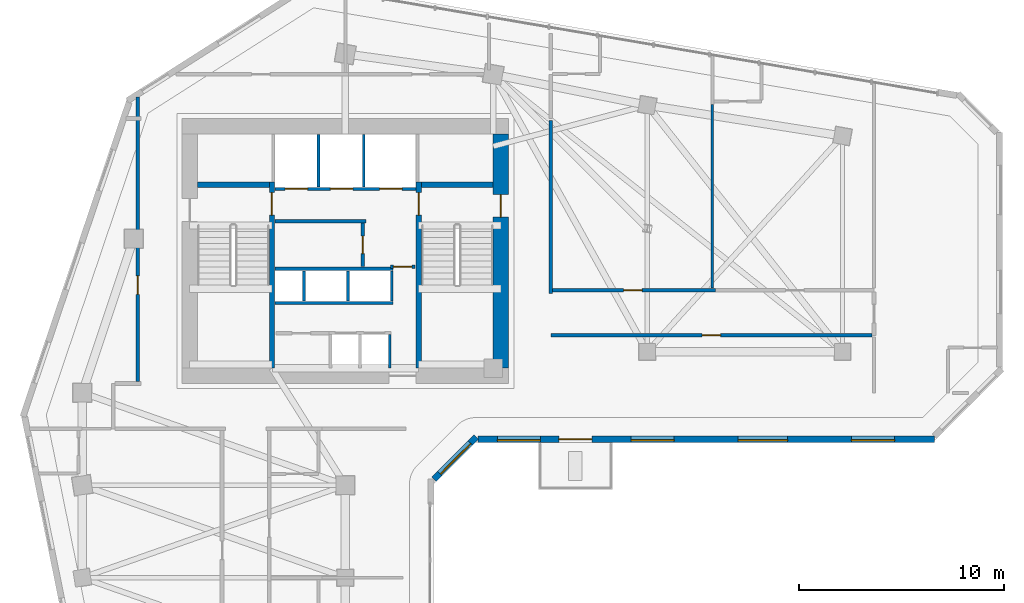
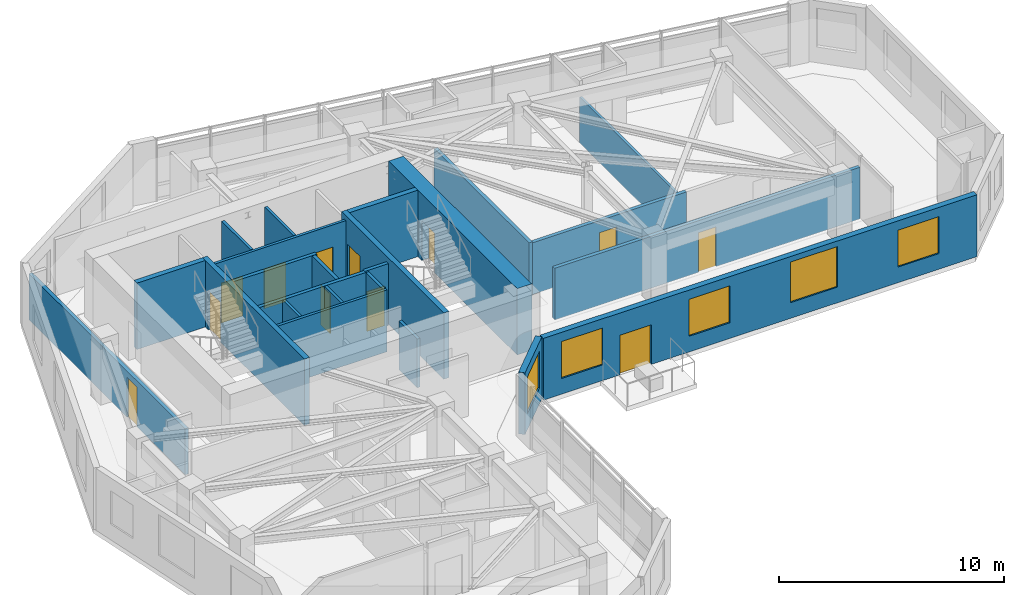
# One storey, part 6 of 11: 24 walls, 12 doors, 5 windows, 17 openings.
"""IFC4 building model written with IfcOpenShell, lengths in metres."""

from ifc_helpers import new_model, si_unit, direction, frame, frame_2d, origin, place, context, subcontext, project, spatial, rectangle, extrude, source, transform, mapped, material, layer, layer_set, type_object, element, fill, save


model = new_model("IFC4")

# Units and contexts
model_context = context("Model", 3, precision=1e-05, world=origin(), true_north=direction((0.0, 1.0)))
body_context = subcontext(model_context, "Body", "Model", "MODEL_VIEW")
ifc_project = project(units=[si_unit("LENGTHUNIT", "METRE"), si_unit("AREAUNIT", "SQUARE_METRE"), si_unit("VOLUMEUNIT", "CUBIC_METRE"), si_unit("PLANEANGLEUNIT", "RADIAN"), si_unit("MASSUNIT", "GRAM", prefix="KILO")], contexts=[model_context])

# Site, building, storey
site_placement = place(None, origin())
site = spatial("IfcSite", under=ifc_project, at=site_placement, CompositionType="ELEMENT")
building_placement = place(site_placement, origin())
building = spatial("IfcBuilding", under=site, at=building_placement, Name="Calvemar Wedge Station Tower", CompositionType="ELEMENT")
storey_placement = place(building_placement, frame((0.0, 0.0, 143.0)))
storey = spatial("IfcBuildingStorey", under=building, at=storey_placement, Name="L35", CompositionType="ELEMENT", Elevation=143.0)

# Wall, opening, door
ifc_material_1 = material(Name="Concrete C50", Category="concrete")
ifc_layer_1 = layer(ifc_material_1, 0.260009765625)
ifc_layer_set_1 = layer_set([ifc_layer_1], Name="Concrete C50")
wall_type_1 = type_object("IfcWallType", Name="SW-CORE-260", PredefinedType="SHEAR", material=ifc_layer_set_1)
wall_1_placement = place(storey_placement, frame((20.22998046875, 34.199951171875, 0.0), z_axis=(0.0, 0.0, 1.0), x_axis=(0.0, 1.0, 0.0)))
wall_1 = element("IfcWall", 1, at=wall_1_placement, inside=storey, type_object=wall_type_1, Name="Storey L35 Core Shear Wall SPINE-W", PredefinedType="SHEAR", context=body_context, shape_type="SweptSolid", body=[
    extrude(rectangle(XDim=9.06005859375, YDim=0.260009765625, at=frame_2d((4.530029296875, 0.0))), origin(), (0.0, 0.0, 1.0), 3.60009765625),
])
shared_shape_1 = source(origin(), body_context, "Body", "SweptSolid", [
    extrude(rectangle(XDim=1.10009765625, YDim=2.14990234375, at=frame_2d((0.550048828125, 1.074951171875))), frame((0.0, 0.14013671875, 0.0), z_axis=(0.0, -1.0, 0.0), x_axis=(1.0, 0.0, 0.0)), (0.0, 0.0, 1.0), 0.280029296875),
])
opening_1_placement = place(wall_1_placement, frame((7.449951171875, 0.0, 0.0)))
opening_1 = element("IfcOpeningElement", 2, at=opening_1_placement, cuts=wall_1, Name="Opening FD-90", PredefinedType="OPENING", context=body_context, shape_type="MappedRepresentation", body=[
    mapped(shared_shape_1, transform((0.0, 0.0, 0.0), scale=1.0)),
])
ifc_material_2 = material(Name="Galvanized fire-rated steel door leaf P-90", Category="steel")
door_type_1 = type_object("IfcDoorType", Name="DR-FD90-1100", OperationType="NOTDEFINED", PredefinedType="DOOR", material=ifc_material_2)
shared_shape_2 = source(origin(), body_context, "Body", "SweptSolid", [
    extrude(rectangle(XDim=1.10009765625, YDim=2.14990234375, at=frame_2d((0.550048828125, 1.074951171875))), frame((0.0, 0.02490234375, 0.0), z_axis=(0.0, -1.0, 0.0), x_axis=(1.0, 0.0, 0.0)), (0.0, 0.0, 1.0), 0.050048828125),
])
door_1_placement = place(opening_1_placement, origin())
door_1 = element("IfcDoor", 3, at=door_1_placement, inside=storey, type_object=door_type_1, Name="L35 FF Lobby to Stair ST-C1 Door", OperationType="SINGLE_SWING_RIGHT", OverallHeight=2.14990234375, OverallWidth=1.10009765625, PredefinedType="DOOR", context=body_context, shape_type="MappedRepresentation", body=[
    mapped(shared_shape_2, transform((0.0, 0.0, 0.0), scale=1.0)),
])
fill(opening_1, door_1)

wall_2_placement = place(storey_placement, frame((27.3701171875, 34.199951171875, 0.0), z_axis=(0.0, 0.0, 1.0), x_axis=(0.0, 1.0, 0.0)))
wall_2 = element("IfcWall", 4, at=wall_2_placement, inside=storey, type_object=wall_type_1, Name="Storey L35 Core Shear Wall SPINE-E", PredefinedType="SHEAR", context=body_context, shape_type="SweptSolid", body=[
    extrude(rectangle(XDim=9.06005859375, YDim=0.260009765625, at=frame_2d((4.530029296875, 0.0))), origin(), (0.0, 0.0, 1.0), 3.60009765625),
])
opening_2_placement = place(wall_2_placement, frame((7.449951171875, 0.0, 0.0)))
opening_2 = element("IfcOpeningElement", 5, at=opening_2_placement, cuts=wall_2, Name="Opening FD-90", PredefinedType="OPENING", context=body_context, shape_type="MappedRepresentation", body=[
    mapped(shared_shape_1, transform((0.0, 0.0, 0.0), scale=1.0)),
])
door_2_placement = place(opening_2_placement, origin())
door_2 = element("IfcDoor", 6, at=door_2_placement, inside=storey, type_object=door_type_1, Name="L35 FF Lobby to Stair ST-C2 Door", OperationType="SINGLE_SWING_LEFT", OverallHeight=2.14990234375, OverallWidth=1.10009765625, PredefinedType="DOOR", context=body_context, shape_type="MappedRepresentation", body=[
    mapped(shared_shape_2, transform((0.0, 0.0, 0.0), scale=1.0)),
])
fill(opening_2, door_2)

# Walls
for number, where, z_axis, x_axis, name in (
    (7, (16.60009765625, 43.1298828125, 0.0), (0.0, 0.0, 1.0), (1.0, 0.0, 0.0), "Storey L35 Core Shear Wall STC1-N"),
    (8, (27.5, 43.1298828125, 0.0), (0.0, 0.0, 1.0), (1.0, 0.0, 0.0), "Storey L35 Core Shear Wall STC2-N"),
):
    element("IfcWall", number, at=place(storey_placement, frame(where, z_axis=z_axis, x_axis=x_axis)), inside=storey, type_object=wall_type_1, Name=name, PredefinedType="SHEAR", context=body_context, shape_type="SweptSolid", body=[
        extrude(rectangle(XDim=3.5, YDim=0.260009765625, at=frame_2d((1.75, 0.0))), origin(), (0.0, 0.0, 1.0), 3.60009765625),
    ])

# Wall, opening, door
ifc_material_3 = material(Name="Concrete C70", Category="concrete")
ifc_layer_2 = layer(ifc_material_3, 0.75)
ifc_layer_set_2 = layer_set([ifc_layer_2], Name="Concrete C70")
wall_type_2 = type_object("IfcWallType", Name="SW-CORE-750", PredefinedType="SHEAR", material=ifc_layer_set_2)
wall_3_placement = place(storey_placement, frame((31.375, 34.199951171875, 0.0), z_axis=(0.0, 0.0, 1.0), x_axis=(0.0, 1.0, 0.0)))
wall_3 = element("IfcWall", 9, at=wall_3_placement, inside=storey, type_object=wall_type_2, Name="Storey L35 Core Shear Wall E", PredefinedType="SHEAR", context=body_context, shape_type="SweptSolid", body=[
    extrude(rectangle(XDim=11.400146484375, YDim=0.75, at=frame_2d((5.7001953125, 0.0))), origin(), (0.0, 0.0, 1.0), 3.60009765625),
])
shared_shape_3 = source(origin(), body_context, "Body", "SweptSolid", [
    extrude(rectangle(XDim=1.10009765625, YDim=2.14990234375, at=frame_2d((0.550048828125, 1.074951171875))), frame((0.0, 0.385009765625, 0.0), z_axis=(0.0, -1.0, 0.0), x_axis=(1.0, 0.0, 0.0)), (0.0, 0.0, 1.0), 0.77001953125),
])
opening_3_placement = place(wall_3_placement, frame((7.35009765625, 0.0, 0.0)))
opening_3 = element("IfcOpeningElement", 10, at=opening_3_placement, cuts=wall_3, Name="Opening FD-90", PredefinedType="OPENING", context=body_context, shape_type="MappedRepresentation", body=[
    mapped(shared_shape_3, transform((0.0, 0.0, 0.0), scale=1.0)),
])
door_3_placement = place(opening_3_placement, origin())
door_3 = element("IfcDoor", 11, at=door_3_placement, inside=storey, type_object=door_type_1, Name="L35 East Corridor to Exit Stair ST-C2 Door", OperationType="SINGLE_SWING_LEFT", OverallHeight=2.14990234375, OverallWidth=1.10009765625, PredefinedType="DOOR", context=body_context, shape_type="MappedRepresentation", body=[
    mapped(shared_shape_2, transform((0.0, 0.0, 0.0), scale=1.0)),
])
fill(opening_3, door_3)

# Wall
ifc_material_4 = material(Name="Double-stud fire-rated corridor partition")
ifc_layer_3 = layer(ifc_material_4, 0.179931640625)
ifc_layer_set_3 = layer_set([ifc_layer_3], Name="Double-stud fire-rated corridor partition")
wall_type_3 = type_object("IfcWallType", Name="W-CORR-180", PredefinedType="PARTITIONING", material=ifc_layer_set_3)
wall_4_placement = place(storey_placement, frame((24.81005859375, 41.35009765625, 0.0), z_axis=(0.0, 0.0, 1.0), x_axis=(-1.0, 0.0, 0.0)))
element("IfcWall", 12, at=wall_4_placement, inside=storey, type_object=wall_type_3, Name="Storey L35 Interior Partition WL-L35-001", PredefinedType="PARTITIONING", context=body_context, shape_type="SweptSolid", body=[
    extrude(rectangle(XDim=4.43017578125, YDim=0.179931640625, at=frame_2d((2.215087890625, 0.0))), origin(), (0.0, 0.0, 1.0), 3.35009765625),
])

# Wall, opening, door
wall_5_placement = place(storey_placement, frame((24.64990234375, 41.256103515625, 0.0), z_axis=(0.0, 0.0, 1.0), x_axis=(0.0, -1.0, 0.0)))
wall_5 = element("IfcWall", 13, at=wall_5_placement, inside=storey, type_object=wall_type_3, Name="Storey L35 Interior Partition WL-L35-002", PredefinedType="PARTITIONING", context=body_context, shape_type="SweptSolid", body=[
    extrude(rectangle(XDim=2.106201171875, YDim=0.179931640625, at=frame_2d((1.05322265625, 0.0))), origin(), (0.0, 0.0, 1.0), 3.35009765625),
])
shared_shape_4 = source(origin(), body_context, "Body", "SweptSolid", [
    extrude(rectangle(XDim=0.85009765625, YDim=2.14990234375, at=frame_2d((0.425048828125, 1.074951171875))), frame((0.0, 0.10009765625, 0.0), z_axis=(0.0, -1.0, 0.0), x_axis=(1.0, 0.0, 0.0)), (0.0, 0.0, 1.0), 0.199951171875),
])
opening_4_placement = place(wall_5_placement, frame((0.6279296875, 0.0, 0.0)))
opening_4 = element("IfcOpeningElement", 14, at=opening_4_placement, cuts=wall_5, Name="Opening FD-60S", PredefinedType="OPENING", context=body_context, shape_type="MappedRepresentation", body=[
    mapped(shared_shape_4, transform((0.0, 0.0, 0.0), scale=1.0)),
])
ifc_material_5 = material(Name="Fire-rated steel and hardwood service door EI 60", Category="steel")
door_type_2 = type_object("IfcDoorType", Name="DR-CORE-FD60-850", OperationType="NOTDEFINED", PredefinedType="DOOR", material=ifc_material_5)
shared_shape_5 = source(origin(), body_context, "Body", "SweptSolid", [
    extrude(rectangle(XDim=0.85009765625, YDim=2.14990234375, at=frame_2d((0.425048828125, 1.074951171875))), frame((0.0, 0.02490234375, 0.0), z_axis=(0.0, -1.0, 0.0), x_axis=(1.0, 0.0, 0.0)), (0.0, 0.0, 1.0), 0.050048828125),
])
door_4_placement = place(opening_4_placement, origin())
door_4 = element("IfcDoor", 15, at=door_4_placement, inside=storey, type_object=door_type_2, Name="L35 Cleaner and Linen Store Door", OperationType="SINGLE_SWING_RIGHT", OverallHeight=2.14990234375, OverallWidth=0.85009765625, PredefinedType="DOOR", context=body_context, shape_type="MappedRepresentation", body=[
    mapped(shared_shape_5, transform((0.0, 0.0, 0.0), scale=1.0)),
])
fill(opening_4, door_4)

wall_6_placement = place(storey_placement, frame((27.199951171875, 39.1298828125, 0.0), z_axis=(0.0, 0.0, 1.0), x_axis=(-1.0, 0.0, 0.0)))
wall_6 = element("IfcWall", 16, at=wall_6_placement, inside=storey, type_object=wall_type_3, Name="Storey L35 Interior Partition WL-L35-003", PredefinedType="PARTITIONING", context=body_context, shape_type="SweptSolid", body=[
    extrude(rectangle(XDim=1.2099609375, YDim=0.179931640625, at=frame_2d((0.60498046875, 0.0))), origin(), (0.0, 0.0, 1.0), 3.35009765625),
])
shared_shape_6 = source(origin(), body_context, "Body", "SweptSolid", [
    extrude(rectangle(XDim=0.89990234375, YDim=2.14990234375, at=frame_2d((0.449951171875, 1.074951171875))), frame((0.0, 0.10009765625, 0.0), z_axis=(0.0, -1.0, 0.0), x_axis=(1.0, 0.0, 0.0)), (0.0, 0.0, 1.0), 0.199951171875),
])
opening_5_placement = place(wall_6_placement, frame((0.155029296875, 0.0, 0.0)))
opening_5 = element("IfcOpeningElement", 17, at=opening_5_placement, cuts=wall_6, Name="Opening FD-60", PredefinedType="OPENING", context=body_context, shape_type="MappedRepresentation", body=[
    mapped(shared_shape_6, transform((0.0, 0.0, 0.0), scale=1.0)),
])
ifc_material_6 = material(Name="Fire-rated acoustic timber-core entrance door EI 60", Category="wood")
door_type_3 = type_object("IfcDoorType", Name="DR-FD60-900", OperationType="NOTDEFINED", PredefinedType="DOOR", material=ifc_material_6)
shared_shape_7 = source(origin(), body_context, "Body", "SweptSolid", [
    extrude(rectangle(XDim=0.89990234375, YDim=2.14990234375, at=frame_2d((0.449951171875, 1.074951171875))), frame((0.0, 0.02490234375, 0.0), z_axis=(0.0, -1.0, 0.0), x_axis=(1.0, 0.0, 0.0)), (0.0, 0.0, 1.0), 0.050048828125),
])
door_5_placement = place(opening_5_placement, origin())
door_5 = element("IfcDoor", 18, at=door_5_placement, inside=storey, type_object=door_type_3, Name="L35 Core Service Lobby Door", OperationType="SINGLE_SWING_LEFT", OverallHeight=2.14990234375, OverallWidth=0.89990234375, PredefinedType="DOOR", context=body_context, shape_type="MappedRepresentation", body=[
    mapped(shared_shape_7, transform((0.0, 0.0, 0.0), scale=1.0)),
])
fill(opening_5, door_5)

wall_7_placement = place(storey_placement, frame((13.699951171875, 33.5439453125, 0.0), z_axis=(0.0, 0.0, 1.0), x_axis=(0.0, 1.0, 0.0)))
wall_7 = element("IfcWall", 19, at=wall_7_placement, inside=storey, type_object=wall_type_3, Name="Storey L35 Interior Partition WL-L35-010", PredefinedType="PARTITIONING", context=body_context, shape_type="SweptSolid", body=[
    extrude(rectangle(XDim=13.860107421875, YDim=0.179931640625, at=frame_2d((6.93017578125, 0.0))), origin(), (0.0, 0.0, 1.0), 2.491943359375),
])
opening_6_placement = place(wall_7_placement, frame((4.252685546875, 0.0, 0.0)))
opening_6 = element("IfcOpeningElement", 20, at=opening_6_placement, cuts=wall_7, Name="Opening D-01", PredefinedType="OPENING", context=body_context, shape_type="MappedRepresentation", body=[
    mapped(shared_shape_6, transform((0.0, 0.0, 0.0), scale=1.0)),
])
ifc_material_7 = material(Name="Architectural hardwood acoustic swing door", Category="wood")
door_type_4 = type_object("IfcDoorType", Name="DR-INT-900", OperationType="NOTDEFINED", PredefinedType="DOOR", material=ifc_material_7)
shared_shape_8 = source(origin(), body_context, "Body", "SweptSolid", [
    extrude(rectangle(XDim=0.89990234375, YDim=2.14990234375, at=frame_2d((0.449951171875, 1.074951171875))), frame((0.0, 0.02490234375, 0.0), z_axis=(0.0, -1.0, 0.0), x_axis=(1.0, 0.0, 0.0)), (0.0, 0.0, 1.0), 0.050048828125),
])
door_6_placement = place(opening_6_placement, origin())
door_6 = element("IfcDoor", 21, at=door_6_placement, inside=storey, type_object=door_type_4, Name="L35 Executive Lounge Door", OperationType="SINGLE_SWING_LEFT", OverallHeight=2.14990234375, OverallWidth=0.89990234375, PredefinedType="DOOR", context=body_context, shape_type="MappedRepresentation", body=[
    mapped(shared_shape_8, transform((0.0, 0.0, 0.0), scale=1.0)),
])
fill(opening_6, door_6)

# Wall
wall_8_placement = place(storey_placement, frame((33.800048828125, 46.256103515625, 0.0), z_axis=(0.0, 0.0, 1.0), x_axis=(0.0, -1.0, 0.0)))
element("IfcWall", 22, at=wall_8_placement, inside=storey, type_object=wall_type_3, Name="Storey L35 Interior Partition WL-L35-015", PredefinedType="PARTITIONING", context=body_context, shape_type="SweptSolid", body=[
    extrude(rectangle(XDim=8.416015625, YDim=0.179931640625, at=frame_2d((4.2080078125, 0.0))), origin(), (0.0, 0.0, 1.0), 2.922119140625),
])

# Wall, opening, door
wall_9_placement = place(storey_placement, frame((33.89404296875, 38.0, 0.0), z_axis=(0.0, 0.0, 1.0), x_axis=(1.0, 0.0, 0.0)))
wall_9 = element("IfcWall", 23, at=wall_9_placement, inside=storey, type_object=wall_type_3, Name="Storey L35 Interior Partition WL-L35-019", PredefinedType="PARTITIONING", context=body_context, shape_type="SweptSolid", body=[
    extrude(rectangle(XDim=7.932861328125, YDim=0.179931640625, at=frame_2d((3.96630859375, 0.0))), origin(), (0.0, 0.0, 1.0), 2.802978515625),
])
opening_7_placement = place(wall_9_placement, frame((3.455322265625, 0.0, 0.0)))
opening_7 = element("IfcOpeningElement", 24, at=opening_7_placement, cuts=wall_9, Name="Opening FD-60", PredefinedType="OPENING", context=body_context, shape_type="MappedRepresentation", body=[
    mapped(shared_shape_6, transform((0.0, 0.0, 0.0), scale=1.0)),
])
door_7_placement = place(opening_7_placement, origin())
door_7 = element("IfcDoor", 25, at=door_7_placement, inside=storey, type_object=door_type_3, Name="L35 Hotel Suite Door", OperationType="SINGLE_SWING_LEFT", OverallHeight=2.14990234375, OverallWidth=0.89990234375, PredefinedType="DOOR", context=body_context, shape_type="MappedRepresentation", body=[
    mapped(shared_shape_7, transform((0.0, 0.0, 0.0), scale=1.0)),
])
fill(opening_7, door_7)

wall_10_placement = place(storey_placement, frame((49.44091796875, 35.800048828125, 0.0), z_axis=(0.0, 0.0, 1.0), x_axis=(-1.0, 0.0, 0.0)))
wall_10 = element("IfcWall", 26, at=wall_10_placement, inside=storey, type_object=wall_type_3, Name="Storey L35 Interior Partition WL-L35-022", PredefinedType="PARTITIONING", context=body_context, shape_type="SweptSolid", body=[
    extrude(rectangle(XDim=15.640869140625, YDim=0.179931640625, at=frame_2d((7.8203125, 0.0))), origin(), (0.0, 0.0, 1.0), 2.802978515625),
])
opening_8_placement = place(wall_10_placement, frame((7.37060546875, 0.0, 0.0)))
opening_8 = element("IfcOpeningElement", 27, at=opening_8_placement, cuts=wall_10, Name="Opening D-01", PredefinedType="OPENING", context=body_context, shape_type="MappedRepresentation", body=[
    mapped(shared_shape_6, transform((0.0, 0.0, 0.0), scale=1.0)),
])
door_8_placement = place(opening_8_placement, origin())
door_8 = element("IfcDoor", 28, at=door_8_placement, inside=storey, type_object=door_type_4, Name="L35 Meeting Room Door", OperationType="SINGLE_SWING_RIGHT", OverallHeight=2.14990234375, OverallWidth=0.89990234375, PredefinedType="DOOR", context=body_context, shape_type="MappedRepresentation", body=[
    mapped(shared_shape_8, transform((0.0, 0.0, 0.0), scale=1.0)),
])
fill(opening_8, door_8)

# Wall, opening, window
ifc_material_8 = material(Name="Precast concrete C45", Category="concrete")
ifc_layer_4 = layer(ifc_material_8, 0.300048828125)
ifc_layer_set_4 = layer_set([ifc_layer_4], Name="Precast concrete C45")
wall_type_4 = type_object("IfcWallType", Name="W-EXT-GFRC-300", PredefinedType="SOLIDWALL", material=ifc_layer_set_4)
wall_11_placement = place(storey_placement, frame((28.115966796875, 28.7919921875, 0.0), z_axis=(0.0, 0.0, 1.0), x_axis=(0.707064797706, 0.707148762175, 0.0)))
wall_11 = element("IfcWall", 29, at=wall_11_placement, inside=storey, type_object=wall_type_4, Name="Storey L35 Bronze GFRC Exterior Wall 5", PredefinedType="SOLIDWALL", context=body_context, shape_type="SweptSolid", body=[
    extrude(rectangle(XDim=2.90771484375, YDim=0.300048828125, at=frame_2d((1.453857421875, 0.0))), origin(), (0.0, 0.0, 1.0), 3.35009765625),
])
shared_shape_9 = source(origin(), body_context, "Body", "SweptSolid", [
    extrude(rectangle(XDim=2.10009765625, YDim=2.0, at=frame_2d((1.050048828125, 1.0))), frame((0.0, 0.16015625, 0.0), z_axis=(0.0, -1.0, 0.0), x_axis=(1.0, 0.0, 0.0)), (0.0, 0.0, 1.0), 0.320068359375),
])
opening_9_placement = place(wall_11_placement, frame((0.404052734375, 0.0, 0.85009765625)))
opening_9 = element("IfcOpeningElement", 30, at=opening_9_placement, cuts=wall_11, Name="Opening W4", PredefinedType="OPENING", context=body_context, shape_type="MappedRepresentation", body=[
    mapped(shared_shape_9, transform((0.0, 0.0, 0.0), scale=1.0)),
])
ifc_material_9 = material(Name="Low-E laminated insulated glass", Category="glass")
window_type_1 = type_object("IfcWindowType", Name="WIN-EXT-4", PartitioningType="SINGLE_PANEL", PredefinedType="WINDOW", material=ifc_material_9)
shared_shape_10 = source(origin(), body_context, "Body", "SweptSolid", [
    extrude(rectangle(XDim=2.10009765625, YDim=2.0, at=frame_2d((1.050048828125, 1.0))), frame((0.0, -0.014892578125, 0.0), z_axis=(0.0, -1.0, 0.0), x_axis=(1.0, 0.0, 0.0)), (0.0, 0.0, 1.0), 0.06005859375),
])
window_1_placement = place(opening_9_placement, origin())
window_1 = element("IfcWindow", 31, at=window_1_placement, inside=storey, type_object=window_type_1, Name="Storey L35 Recessed Window 5.1", OverallHeight=2.0, OverallWidth=2.10009765625, PartitioningType="SINGLE_PANEL", PredefinedType="WINDOW", context=body_context, shape_type="MappedRepresentation", body=[
    mapped(shared_shape_10, transform((0.0, 0.0, 0.0), scale=1.0)),
])
fill(opening_9, window_1)

# Wall, openings, windows, door
wall_12_placement = place(storey_placement, frame((30.260986328125, 30.741943359375, 0.0), z_axis=(0.0, 0.0, 1.0), x_axis=(1.0, 0.0, 0.0)))
wall_12 = element("IfcWall", 32, at=wall_12_placement, inside=storey, type_object=wall_type_4, Name="Storey L35 Bronze GFRC Exterior Wall 6", PredefinedType="SOLIDWALL", context=body_context, shape_type="SweptSolid", body=[
    extrude(rectangle(XDim=22.226806640625, YDim=0.300048828125, at=frame_2d((11.11328125, 0.0))), origin(), (0.0, 0.0, 1.0), 3.35009765625),
])
shared_shape_11 = source(origin(), body_context, "Body", "SweptSolid", [
    extrude(rectangle(XDim=1.60009765625, YDim=2.14990234375, at=frame_2d((0.800048828125, 1.074951171875))), frame((0.0, 0.16015625, 0.0), z_axis=(0.0, -1.0, 0.0), x_axis=(1.0, 0.0, 0.0)), (0.0, 0.0, 1.0), 0.320068359375),
])
opening_10_placement = place(wall_12_placement, frame((3.93896484375, 0.0, 0.0)))
opening_10 = element("IfcOpeningElement", 33, at=opening_10_placement, cuts=wall_12, Name="Opening DT1", PredefinedType="OPENING", context=body_context, shape_type="MappedRepresentation", body=[
    mapped(shared_shape_11, transform((0.0, 0.0, 0.0), scale=1.0)),
])
opening_11_placement = place(wall_12_placement, frame((0.93896484375, 0.0, 0.85009765625)))
opening_11 = element("IfcOpeningElement", 34, at=opening_11_placement, cuts=wall_12, Name="Opening W4", PredefinedType="OPENING", context=body_context, shape_type="MappedRepresentation", body=[
    mapped(shared_shape_9, transform((0.0, 0.0, 0.0), scale=1.0)),
])
opening_12_placement = place(wall_12_placement, frame((7.449951171875, 0.0, 0.85009765625)))
opening_12 = element("IfcOpeningElement", 35, at=opening_12_placement, cuts=wall_12, Name="Opening W4", PredefinedType="OPENING", context=body_context, shape_type="MappedRepresentation", body=[
    mapped(shared_shape_9, transform((0.0, 0.0, 0.0), scale=1.0)),
])
shared_shape_12 = source(origin(), body_context, "Body", "SweptSolid", [
    extrude(rectangle(XDim=2.39990234375, YDim=2.199951171875, at=frame_2d((1.199951171875, 1.10009765625))), frame((0.0, 0.16015625, 0.0), z_axis=(0.0, -1.0, 0.0), x_axis=(1.0, 0.0, 0.0)), (0.0, 0.0, 1.0), 0.320068359375),
])
opening_13_placement = place(wall_12_placement, frame((12.6630859375, 0.0, 0.85009765625)))
opening_13 = element("IfcOpeningElement", 36, at=opening_13_placement, cuts=wall_12, Name="Opening W1", PredefinedType="OPENING", context=body_context, shape_type="MappedRepresentation", body=[
    mapped(shared_shape_12, transform((0.0, 0.0, 0.0), scale=1.0)),
])
opening_14_placement = place(wall_12_placement, frame((18.176025390625, 0.0, 0.85009765625)))
opening_14 = element("IfcOpeningElement", 37, at=opening_14_placement, cuts=wall_12, Name="Opening W4", PredefinedType="OPENING", context=body_context, shape_type="MappedRepresentation", body=[
    mapped(shared_shape_9, transform((0.0, 0.0, 0.0), scale=1.0)),
])
window_2_placement = place(opening_11_placement, origin())
window_2 = element("IfcWindow", 38, at=window_2_placement, inside=storey, type_object=window_type_1, Name="Storey L35 Recessed Window 6.1", OverallHeight=2.0, OverallWidth=2.10009765625, PartitioningType="SINGLE_PANEL", PredefinedType="WINDOW", context=body_context, shape_type="MappedRepresentation", body=[
    mapped(shared_shape_10, transform((0.0, 0.0, 0.0), scale=1.0)),
])
fill(opening_11, window_2)
window_3_placement = place(opening_12_placement, origin())
window_3 = element("IfcWindow", 39, at=window_3_placement, inside=storey, type_object=window_type_1, Name="Storey L35 Recessed Window 6.2", OverallHeight=2.0, OverallWidth=2.10009765625, PartitioningType="SINGLE_PANEL", PredefinedType="WINDOW", context=body_context, shape_type="MappedRepresentation", body=[
    mapped(shared_shape_10, transform((0.0, 0.0, 0.0), scale=1.0)),
])
fill(opening_12, window_3)
window_4_placement = place(opening_14_placement, origin())
window_4 = element("IfcWindow", 40, at=window_4_placement, inside=storey, type_object=window_type_1, Name="Storey L35 Recessed Window 6.4", OverallHeight=2.0, OverallWidth=2.10009765625, PartitioningType="SINGLE_PANEL", PredefinedType="WINDOW", context=body_context, shape_type="MappedRepresentation", body=[
    mapped(shared_shape_10, transform((0.0, 0.0, 0.0), scale=1.0)),
])
fill(opening_14, window_4)
window_type_2 = type_object("IfcWindowType", Name="WIN-EXT-1", PartitioningType="SINGLE_PANEL", PredefinedType="WINDOW", material=ifc_material_9)
shared_shape_13 = source(origin(), body_context, "Body", "SweptSolid", [
    extrude(rectangle(XDim=2.39990234375, YDim=2.199951171875, at=frame_2d((1.199951171875, 1.10009765625))), frame((0.0, -0.014892578125, 0.0), z_axis=(0.0, -1.0, 0.0), x_axis=(1.0, 0.0, 0.0)), (0.0, 0.0, 1.0), 0.06005859375),
])
window_5_placement = place(opening_13_placement, origin())
window_5 = element("IfcWindow", 41, at=window_5_placement, inside=storey, type_object=window_type_2, Name="Storey L35 Recessed Window 6.3", OverallHeight=2.199951171875, OverallWidth=2.39990234375, PartitioningType="SINGLE_PANEL", PredefinedType="WINDOW", context=body_context, shape_type="MappedRepresentation", body=[
    mapped(shared_shape_13, transform((0.0, 0.0, 0.0), scale=1.0)),
])
fill(opening_13, window_5)
ifc_material_10 = material(Name="Anodised aluminium 6063-T6", Category="aluminium")
door_type_5 = type_object("IfcDoorType", Name="DR-TERR-1600", OperationType="DOUBLE_DOOR_SLIDING", PredefinedType="DOOR", material=ifc_material_10)
shared_shape_14 = source(origin(), body_context, "Body", "SweptSolid", [
    extrude(rectangle(XDim=1.60009765625, YDim=2.14990234375, at=frame_2d((0.800048828125, 1.074951171875))), frame((0.0, 0.02490234375, 0.0), z_axis=(0.0, -1.0, 0.0), x_axis=(1.0, 0.0, 0.0)), (0.0, 0.0, 1.0), 0.050048828125),
])
door_9_placement = place(opening_10_placement, origin())
door_9 = element("IfcDoor", 42, at=door_9_placement, inside=storey, type_object=door_type_5, Name="Storey L35 Spiral Terrace Door", OperationType="DOUBLE_DOOR_SLIDING", OverallHeight=2.14990234375, OverallWidth=1.60009765625, PredefinedType="DOOR", context=body_context, shape_type="MappedRepresentation", body=[
    mapped(shared_shape_14, transform((0.0, 0.0, 0.0), scale=1.0)),
])
fill(opening_10, door_9)

# Wall, openings, doors
ifc_material_11 = material(Name="Reinforced concrete blockwork lift shaft wall", Category="masonry")
ifc_layer_5 = layer(ifc_material_11, 0.139892578125)
ifc_layer_set_5 = layer_set([ifc_layer_5], Name="Reinforced concrete blockwork lift shaft wall")
wall_type_5 = type_object("IfcWallType", Name="W-LIFT-160", PredefinedType="SOLIDWALL", material=ifc_layer_set_5)
wall_13_placement = place(storey_placement, frame((20.3701171875, 42.929931640625, 0.0), z_axis=(0.0, 0.0, 1.0), x_axis=(1.0, 0.0, 0.0)))
wall_13 = element("IfcWall", 43, at=wall_13_placement, inside=storey, type_object=wall_type_5, Name="Storey L35 Firefighting and Service Lift Shaft Front Wall", PredefinedType="SOLIDWALL", context=body_context, shape_type="SweptSolid", body=[
    extrude(rectangle(XDim=6.85986328125, YDim=0.139892578125, at=frame_2d((3.429931640625, 0.0))), origin(), (0.0, 0.0, 1.0), 3.35009765625),
])
shared_shape_15 = source(origin(), body_context, "Body", "SweptSolid", [
    extrude(rectangle(XDim=1.10009765625, YDim=2.14990234375, at=frame_2d((0.550048828125, 1.074951171875))), frame((0.0, 0.080078125, 0.0), z_axis=(0.0, -1.0, 0.0), x_axis=(1.0, 0.0, 0.0)), (0.0, 0.0, 1.0), 0.159912109375),
])
opening_15_placement = place(wall_13_placement, frame((0.5, 0.0, 0.0)))
opening_15 = element("IfcOpeningElement", 44, at=opening_15_placement, cuts=wall_13, Name="Opening LD-FF", PredefinedType="OPENING", context=body_context, shape_type="MappedRepresentation", body=[
    mapped(shared_shape_15, transform((0.0, 0.0, 0.0), scale=1.0)),
])
opening_16_placement = place(wall_13_placement, frame((2.699951171875, 0.0, 0.0)))
opening_16 = element("IfcOpeningElement", 45, at=opening_16_placement, cuts=wall_13, Name="Opening LD-FF", PredefinedType="OPENING", context=body_context, shape_type="MappedRepresentation", body=[
    mapped(shared_shape_15, transform((0.0, 0.0, 0.0), scale=1.0)),
])
opening_17_placement = place(wall_13_placement, frame((5.10009765625, 0.0, 0.0)))
opening_17 = element("IfcOpeningElement", 46, at=opening_17_placement, cuts=wall_13, Name="Opening LD-STN", PredefinedType="OPENING", context=body_context, shape_type="MappedRepresentation", body=[
    mapped(shared_shape_15, transform((0.0, 0.0, 0.0), scale=1.0)),
])
ifc_material_12 = material(Name="Stainless steel firefighting lift sliding landing door", Category="steel")
door_type_6 = type_object("IfcDoorType", Name="DR-LD-FF-1100", OperationType="SLIDING_TO_LEFT", PredefinedType="DOOR", material=ifc_material_12)
shared_shape_16 = source(origin(), body_context, "Body", "SweptSolid", [
    extrude(rectangle(XDim=1.10009765625, YDim=2.14990234375, at=frame_2d((0.550048828125, 1.074951171875))), frame((0.0, 0.02490234375, 0.0), z_axis=(0.0, -1.0, 0.0), x_axis=(1.0, 0.0, 0.0)), (0.0, 0.0, 1.0), 0.050048828125),
])
door_10_placement = place(opening_15_placement, origin())
door_10 = element("IfcDoor", 47, at=door_10_placement, inside=storey, type_object=door_type_6, Name="L35 Lift FF-01 Sliding Landing Door", OperationType="SLIDING_TO_LEFT", OverallHeight=2.14990234375, OverallWidth=1.10009765625, PredefinedType="DOOR", context=body_context, shape_type="MappedRepresentation", body=[
    mapped(shared_shape_16, transform((0.0, 0.0, 0.0), scale=1.0)),
])
fill(opening_15, door_10)
door_11_placement = place(opening_16_placement, origin())
door_11 = element("IfcDoor", 48, at=door_11_placement, inside=storey, type_object=door_type_6, Name="L35 Lift FF-02 Sliding Landing Door", OperationType="SLIDING_TO_RIGHT", OverallHeight=2.14990234375, OverallWidth=1.10009765625, PredefinedType="DOOR", context=body_context, shape_type="MappedRepresentation", body=[
    mapped(shared_shape_16, transform((0.0, 0.0, 0.0), scale=1.0)),
])
fill(opening_16, door_11)
ifc_material_13 = material(Name="Stainless steel transit lift sliding landing door", Category="steel")
door_type_7 = type_object("IfcDoorType", Name="DR-LD-PAX-1100", OperationType="SLIDING_TO_LEFT", PredefinedType="DOOR", material=ifc_material_13)
shared_shape_17 = source(origin(), body_context, "Body", "SweptSolid", [
    extrude(rectangle(XDim=1.10009765625, YDim=2.14990234375, at=frame_2d((0.550048828125, 1.074951171875))), frame((0.0, 0.02490234375, 0.0), z_axis=(0.0, -1.0, 0.0), x_axis=(1.0, 0.0, 0.0)), (0.0, 0.0, 1.0), 0.050048828125),
])
door_12_placement = place(opening_17_placement, origin())
door_12 = element("IfcDoor", 49, at=door_12_placement, inside=storey, type_object=door_type_7, Name="L35 Lift SV-01 Sliding Landing Door", OperationType="SLIDING_TO_LEFT", OverallHeight=2.14990234375, OverallWidth=1.10009765625, PredefinedType="DOOR", context=body_context, shape_type="MappedRepresentation", body=[
    mapped(shared_shape_17, transform((0.0, 0.0, 0.0), scale=1.0)),
])
fill(opening_17, door_12)

# Walls
for number, where, z_axis, x_axis, name in (
    (50, (22.5, 43.02001953125, 0.0), (0.0, 0.0, 1.0), (0.0, 1.0, 0.0), "Storey L35 Firefighting Lift Shaft Enclosure Wall D1"),
    (51, (24.699951171875, 43.02001953125, 0.0), (0.0, 0.0, 1.0), (0.0, 1.0, 0.0), "Storey L35 Firefighting Lift Shaft Enclosure Wall D2"),
):
    element("IfcWall", number, at=place(storey_placement, frame(where, z_axis=z_axis, x_axis=x_axis)), inside=storey, type_object=wall_type_5, Name=name, PredefinedType="SOLIDWALL", context=body_context, shape_type="SweptSolid", body=[
        extrude(rectangle(XDim=2.56005859375, YDim=0.139892578125, at=frame_2d((1.280029296875, 0.0))), origin(), (0.0, 0.0, 1.0), 3.35009765625),
    ])
wall_14_placement = place(storey_placement, frame((25.9599609375, 34.219970703125, 0.0), z_axis=(0.0, 0.0, 1.0), x_axis=(0.0, 1.0, 0.0)))
element("IfcWall", 52, at=wall_14_placement, inside=storey, type_object=wall_type_5, Name="Storey L35 South Passenger Lift Shaft Wall E", PredefinedType="SOLIDWALL", context=body_context, shape_type="SweptSolid", body=[
    extrude(rectangle(XDim=1.6201171875, YDim=0.139892578125, at=frame_2d((0.81005859375, 0.0))), origin(), (0.0, 0.0, 1.0), 2.64208984375),
])
wall_15_placement = place(storey_placement, frame((20.3798828125, 37.3798828125, 0.0), z_axis=(0.0, 0.0, 1.0), x_axis=(1.0, 0.0, 0.0)))
element("IfcWall", 53, at=wall_15_placement, inside=storey, type_object=wall_type_5, Name="Storey L35 Upper Passenger Lift Bank Front Wall", PredefinedType="SOLIDWALL", context=body_context, shape_type="SweptSolid", body=[
    extrude(rectangle(XDim=5.75, YDim=0.139892578125, at=frame_2d((2.875, 0.0))), origin(), (0.0, 0.0, 1.0), 3.35009765625),
])
for number, where, z_axis, x_axis, name in (
    (54, (26.06005859375, 37.4599609375, 0.0), (0.0, 0.0, 1.0), (0.0, 1.0, 0.0), "Storey L35 Upper Passenger Lift Shaft Wall E"),
    (55, (21.794921875, 37.4599609375, 0.0), (0.0, 0.0, 1.0), (0.0, 1.0, 0.0), "Storey L35 Upper Passenger Lift Shaft Wall D1"),
    (56, (23.93505859375, 37.4599609375, 0.0), (0.0, 0.0, 1.0), (0.0, 1.0, 0.0), "Storey L35 Upper Passenger Lift Shaft Wall D2"),
):
    element("IfcWall", number, at=place(storey_placement, frame(where, z_axis=z_axis, x_axis=x_axis)), inside=storey, type_object=wall_type_5, Name=name, PredefinedType="SOLIDWALL", context=body_context, shape_type="SweptSolid", body=[
        extrude(rectangle(XDim=1.47998046875, YDim=0.139892578125, at=frame_2d((0.739990234375, 0.0))), origin(), (0.0, 0.0, 1.0), 3.35009765625),
    ])
ifc_material_14 = material(Name="Insulated acoustic gypsum stud partition")
ifc_layer_6 = layer(ifc_material_14, 0.125)
ifc_layer_set_6 = layer_set([ifc_layer_6], Name="Insulated acoustic gypsum stud partition")
wall_type_6 = type_object("IfcWallType", Name="W-PART-125", PredefinedType="PARTITIONING", material=ifc_layer_set_6)
wall_16_placement = place(storey_placement, frame((41.6669921875, 47.024658203125, 0.0), z_axis=(0.0, 0.0, 1.0), x_axis=(0.0, -1.0, 0.0)))
element("IfcWall", 57, at=wall_16_placement, inside=storey, type_object=wall_type_6, Name="Storey L35 Interior Partition WL-L35-026", PredefinedType="PARTITIONING", context=body_context, shape_type="SweptSolid", body=[
    extrude(rectangle(XDim=8.9306640625, YDim=0.125, at=frame_2d((4.46533203125, 0.0))), origin(), (0.0, 0.0, 1.0), 2.491943359375),
])
ifc_material_15 = material(Name="Concrete blockwork and fireboard shaft wall", Category="masonry")
ifc_layer_7 = layer(ifc_material_15, 0.199951171875)
ifc_layer_set_7 = layer_set([ifc_layer_7], Name="Concrete blockwork and fireboard shaft wall")
wall_type_7 = type_object("IfcWallType", Name="W-SHAFT-200", PredefinedType="SOLIDWALL", material=ifc_layer_set_7)
wall_17_placement = place(storey_placement, frame((20.3798828125, 39.0400390625, 0.0), z_axis=(0.0, 0.0, 1.0), x_axis=(1.0, 0.0, 0.0)))
element("IfcWall", 58, at=wall_17_placement, inside=storey, type_object=wall_type_7, Name="Storey L35 Upper Passenger Lift Bank Rear Shaft Wall", PredefinedType="SOLIDWALL", context=body_context, shape_type="SweptSolid", body=[
    extrude(rectangle(XDim=5.75, YDim=0.179931640625, at=frame_2d((2.875, 0.0))), origin(), (0.0, 0.0, 1.0), 3.35009765625),
])

save(model, "model.ifc")
